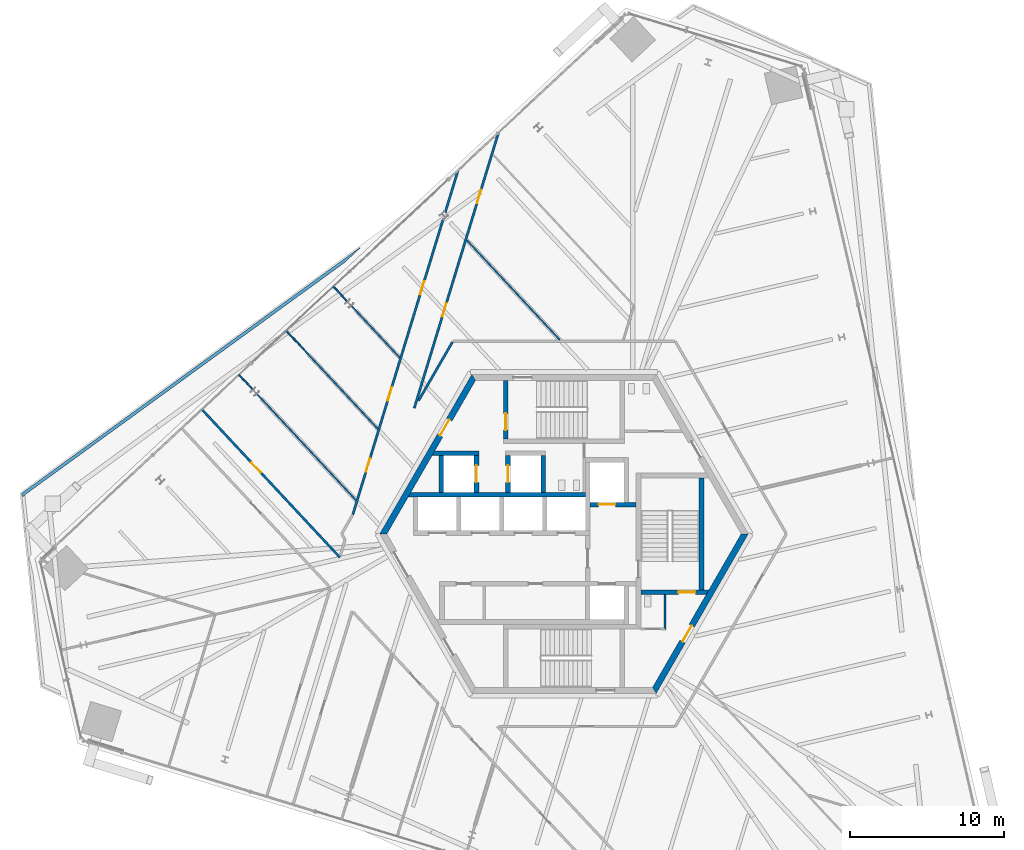
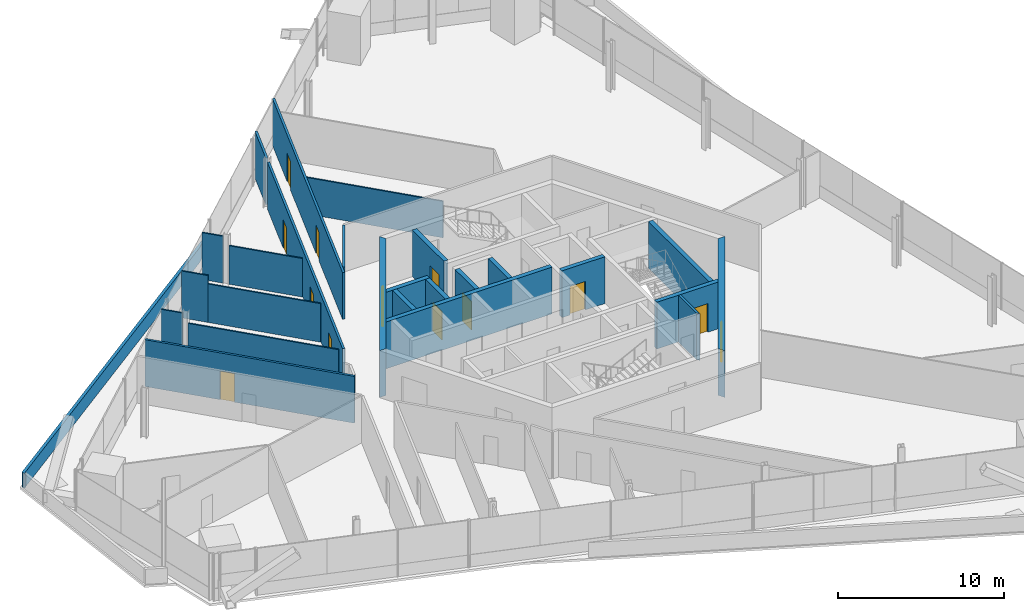
# One storey, part 20 of 25: 26 walls, 13 doors, 13 openings.
"""IFC4 building model written with IfcOpenShell, lengths in metres."""

from ifc_helpers import new_model, si_unit, direction, frame, frame_2d, origin, place, context, subcontext, project, spatial, polyline, rectangle, outline, extrude, source, transform, mapped, material, layer, layer_set, type_object, element, fill, save


model = new_model("IFC4")

# Units and contexts
model_context = context("Model", 3, precision=1e-05, world=origin(), true_north=direction((0.0, 1.0)))
body_context = subcontext(model_context, "Body", "Model", "MODEL_VIEW")
ifc_project = project(units=[si_unit("LENGTHUNIT", "METRE"), si_unit("AREAUNIT", "SQUARE_METRE"), si_unit("VOLUMEUNIT", "CUBIC_METRE"), si_unit("PLANEANGLEUNIT", "RADIAN"), si_unit("MASSUNIT", "GRAM", prefix="KILO")], contexts=[model_context])

# Site, building, storey
site_placement = place(None, origin())
site = spatial("IfcSite", under=ifc_project, at=site_placement, CompositionType="ELEMENT")
building_placement = place(site_placement, origin())
building = spatial("IfcBuilding", under=site, at=building_placement, Name="Triune Harvest Tower", CompositionType="ELEMENT")
storey_placement = place(building_placement, frame((0.0, 0.0, 98.300048828125)))
storey = spatial("IfcBuildingStorey", under=building, at=storey_placement, Name="L24", CompositionType="ELEMENT", Elevation=98.300048828125)

# Wall
ifc_material_1 = material(Name="Gypsum board on steel studs", Category="steel")
ifc_layer_1 = layer(ifc_material_1, 0.14990234375)
ifc_layer_set_1 = layer_set([ifc_layer_1], Name="Gypsum board on steel studs")
wall_type_1 = type_object("IfcWallType", Name="Fire Partition 150 mm", PredefinedType="PARTITIONING", material=ifc_layer_set_1)
wall_1_placement = place(storey_placement, frame((-9.47509765625, 8.67333984375, 0.0), z_axis=(0.0, 0.0, 1.0), x_axis=(0.499979216619, 0.866037402742, 0.0)))
element("IfcWall", 1, at=wall_1_placement, inside=storey, type_object=wall_type_1, Name="Partition L24 032", PredefinedType="PARTITIONING", context=body_context, shape_type="SweptSolid", body=[
    extrude(rectangle(XDim=4.417236328125, YDim=0.14990234375, at=frame_2d((2.20849609375, 0.0))), origin(), (0.0, 0.0, 1.0), 3.43994140625),
])

# Wall, openings, doors
wall_2_placement = place(storey_placement, frame((-9.752197265625, 8.19287109375, 0.0), z_axis=(0.0, 0.0, 1.0), x_axis=(0.29235903159, 0.956308630437, 0.0)))
wall_2 = element("IfcWall", 2, at=wall_2_placement, inside=storey, type_object=wall_type_1, Name="Partition L24 040", PredefinedType="PARTITIONING", context=body_context, shape_type="SweptSolid", body=[
    extrude(rectangle(XDim=18.762451171875, YDim=0.14990234375, at=frame_2d((9.38134765625, 0.0))), origin(), (0.0, 0.0, 1.0), 3.43994140625),
])
opening_1_placement = place(wall_2_placement, frame((13.9501953125, 0.0, 0.0)))
opening_1 = element("IfcOpeningElement", 3, at=opening_1_placement, cuts=wall_2, Name="Opening L24-003", PredefinedType="OPENING", context=body_context, shape_type="SweptSolid", body=[
    extrude(rectangle(XDim=0.89990234375, YDim=2.10009765625, at=frame_2d((0.449951171875, 1.050048828125))), frame((0.0, 0.0849609375, 0.0), z_axis=(0.0, -1.0, 0.0), x_axis=(1.0, 0.0, 0.0)), (0.0, 0.0, 1.0), 0.169921875),
])
opening_2_placement = place(wall_2_placement, frame((6.23388671875, 0.0, 0.0)))
opening_2 = element("IfcOpeningElement", 4, at=opening_2_placement, cuts=wall_2, Name="Opening L24-005", PredefinedType="OPENING", context=body_context, shape_type="SweptSolid", body=[
    extrude(rectangle(XDim=0.89990234375, YDim=2.10009765625, at=frame_2d((0.449951171875, 1.050048828125))), frame((0.0, 0.0849609375, 0.0), z_axis=(0.0, -1.0, 0.0), x_axis=(1.0, 0.0, 0.0)), (0.0, 0.0, 1.0), 0.169921875),
])
ifc_material_2 = material(Name="Timber and steel door set", Category="steel")
door_type_1 = type_object("IfcDoorType", Name="Single leaf door FD30 left hand 900 x 2100", OperationType="SINGLE_SWING_LEFT", PredefinedType="DOOR", material=ifc_material_2)
door_1_placement = place(opening_1_placement, origin())
door_1 = element("IfcDoor", 5, at=door_1_placement, inside=storey, type_object=door_type_1, Name="Door L24-003 Project Room 24.03", OperationType="SINGLE_SWING_LEFT", OverallHeight=2.10009765625, OverallWidth=0.89990234375, PredefinedType="DOOR", context=body_context, shape_type="SweptSolid", body=[
    extrude(rectangle(XDim=0.89990234375, YDim=2.10009765625, at=frame_2d((0.449951171875, 1.050048828125))), frame((0.0, 0.02490234375, 0.0), z_axis=(0.0, -1.0, 0.0), x_axis=(1.0, 0.0, 0.0)), (0.0, 0.0, 1.0), 0.050048828125),
])
fill(opening_1, door_1)
ifc_material_3 = material(Name="Timber and steel door set", Category="steel")
door_type_2 = type_object("IfcDoorType", Name="Single leaf door FD30 right hand 900 x 2100", OperationType="SINGLE_SWING_RIGHT", PredefinedType="DOOR", material=ifc_material_3)
door_2_placement = place(opening_2_placement, origin())
door_2 = element("IfcDoor", 6, at=door_2_placement, inside=storey, type_object=door_type_2, Name="Door L24-005 Office 24.05", OperationType="SINGLE_SWING_RIGHT", OverallHeight=2.10009765625, OverallWidth=0.89990234375, PredefinedType="DOOR", context=body_context, shape_type="SweptSolid", body=[
    extrude(rectangle(XDim=0.89990234375, YDim=2.10009765625, at=frame_2d((0.449951171875, 1.050048828125))), frame((0.0, 0.02490234375, 0.0), z_axis=(0.0, -1.0, 0.0), x_axis=(1.0, 0.0, 0.0)), (0.0, 0.0, 1.0), 0.050048828125),
])
fill(opening_2, door_2)

# Walls
ifc_material_4 = material(Name="Concrete 40 MPa", Category="concrete")
ifc_layer_2 = layer(ifc_material_4, 0.199951171875)
ifc_layer_set_2 = layer_set([ifc_layer_2], Name="Concrete 40 MPa")
wall_type_2 = type_object("IfcWallType", Name="PA-1 parapet 200", PredefinedType="PARAPET", material=ifc_layer_set_2)
wall_3_placement = place(storey_placement, origin())
element("IfcWall", 7, at=wall_3_placement, inside=storey, type_object=wall_type_2, Name="Parapet wedge L23 3.2", PredefinedType="PARAPET", context=body_context, shape_type="SweptSolid", body=[
    extrude(outline(polyline([(-13.291748046875, 18.646240234375), (-13.274169921875, 18.624755859375), (-14.3076171875, 17.660888671875), (-35.114990234375, 2.543701171875), (-35.112548828125, 2.520751953125), (-35.243408203125, 2.42578125), (-35.313720703125, 2.522705078125), (-35.325927734375, 2.6376953125), (-13.291748046875, 18.646240234375)])), origin(), (0.0, 0.0, 1.0), 1.099853515625),
])
ifc_material_5 = material(Name="Gypsum board on steel studs", Category="steel")
ifc_layer_3 = layer(ifc_material_5, 0.10009765625)
ifc_layer_set_3 = layer_set([ifc_layer_3], Name="Gypsum board on steel studs")
wall_type_3 = type_object("IfcWallType", Name="Partition 100 mm", PredefinedType="PARTITIONING", material=ifc_layer_set_3)
wall_4_placement = place(storey_placement, frame((-16.957763671875, 12.01611328125, 0.0), z_axis=(0.0, 0.0, 1.0), x_axis=(0.681998684715, -0.731353398876, 0.0)))
element("IfcWall", 8, at=wall_4_placement, inside=storey, type_object=wall_type_3, Name="Partition L24 012a", PredefinedType="PARTITIONING", context=body_context, shape_type="SweptSolid", body=[
    extrude(rectangle(XDim=7.07861328125, YDim=0.10009765625, at=frame_2d((3.539306640625, 0.0))), origin(), (0.0, 0.0, 1.0), 2.82763671875),
])
wall_5_placement = place(storey_placement, frame((-13.861572265625, 14.86474609375, 0.0), z_axis=(0.0, 0.0, 1.0), x_axis=(0.682005739114, -0.731346820472, 0.0)))
element("IfcWall", 9, at=wall_5_placement, inside=storey, type_object=wall_type_3, Name="Partition L24 014", PredefinedType="PARTITIONING", context=body_context, shape_type="SweptSolid", body=[
    extrude(rectangle(XDim=4.621337890625, YDim=0.10009765625, at=frame_2d((2.310546875, 0.0))), origin(), (0.0, 0.0, 1.0), 2.82763671875),
])
wall_6_placement = place(storey_placement, frame((-6.32861328125, 19.12451171875, 0.0), z_axis=(0.0, 0.0, 1.0), x_axis=(0.682000804038, -0.731351422568, 0.0)))
element("IfcWall", 10, at=wall_6_placement, inside=storey, type_object=wall_type_3, Name="Partition L24 017", PredefinedType="PARTITIONING", context=body_context, shape_type="SweptSolid", body=[
    extrude(rectangle(XDim=8.8798828125, YDim=0.10009765625, at=frame_2d((4.43994140625, 0.0))), origin(), (0.0, 0.0, 1.0), 2.682861328125),
])

# Wall, opening, door
ifc_material_6 = material(Name="Concrete 70 MPa", Category="concrete")
ifc_layer_4 = layer(ifc_material_6, 0.39990234375)
ifc_layer_set_4 = layer_set([ifc_layer_4], Name="Concrete 70 MPa")
wall_type_4 = type_object("IfcWallType", Name="Core wall 400", PredefinedType="SHEAR", material=ifc_layer_set_4)
shared_shape_1 = source(origin(), body_context, "Body", "SweptSolid", [
    extrude(outline(polyline([(-0.115478515625, -0.199951171875), (11.884521484375, -0.199951171875), (11.653564453125, 0.199951171875), (0.115478515625, 0.199951171875), (-0.115478515625, -0.199951171875)])), origin(), (0.0, 0.0, 1.0), 3.43994140625),
])
wall_7_placement = place(storey_placement, frame((-5.884521484375, 10.1923828125, 0.0), z_axis=(0.0, 0.0, 1.0), x_axis=(-0.499996592174, -0.866027371285, 0.0)))
wall_7 = element("IfcWall", 11, at=wall_7_placement, inside=storey, type_object=wall_type_4, Name="Hexagon 2 wall", PredefinedType="SHEAR", context=body_context, shape_type="MappedRepresentation", body=[
    mapped(shared_shape_1, transform((0.0, 0.0, 0.0), scale=1.0)),
])
opening_3_placement = place(wall_7_placement, frame((3.1845703125, 0.0, 0.0)))
opening_3 = element("IfcOpeningElement", 12, at=opening_3_placement, cuts=wall_7, Name="Opening CD-SVP", PredefinedType="OPENING", context=body_context, shape_type="SweptSolid", body=[
    extrude(rectangle(XDim=1.199951171875, YDim=2.10009765625, at=frame_2d((0.60009765625, 1.050048828125))), frame((0.0, 0.2099609375, 0.0), z_axis=(0.0, -1.0, 0.0), x_axis=(1.0, 0.0, 0.0)), (0.0, 0.0, 1.0), 0.419921875),
])
ifc_material_7 = material(Name="Steel S235", Category="steel")
door_type_3 = type_object("IfcDoorType", Name="Service door 1200 FD120", OperationType="SINGLE_SWING_LEFT", PredefinedType="DOOR", material=ifc_material_7)
door_3_placement = place(opening_3_placement, frame((1.199951171875, 0.0, 0.0), z_axis=(0.0, 0.0, 1.0), x_axis=(-1.0, 0.0, 0.0)))
door_3 = element("IfcDoor", 13, at=door_3_placement, inside=storey, type_object=door_type_3, Name="Door CD-SVP", OperationType="SINGLE_SWING_RIGHT", OverallHeight=2.10009765625, OverallWidth=1.199951171875, PredefinedType="DOOR", context=body_context, shape_type="SweptSolid", body=[
    extrude(rectangle(XDim=1.199951171875, YDim=2.10009765625, at=frame_2d((0.60009765625, 1.050048828125))), frame((0.0, 0.02490234375, 0.0), z_axis=(0.0, -1.0, 0.0), x_axis=(1.0, 0.0, 0.0)), (0.0, 0.0, 1.0), 0.050048828125),
])
fill(opening_3, door_3)

wall_8_placement = place(storey_placement, frame((5.884521484375, -10.1923828125, 0.0), z_axis=(0.0, 0.0, 1.0), x_axis=(0.499996592174, 0.866027371285, 0.0)))
wall_8 = element("IfcWall", 14, at=wall_8_placement, inside=storey, type_object=wall_type_4, Name="Hexagon 5 wall", PredefinedType="SHEAR", context=body_context, shape_type="MappedRepresentation", body=[
    mapped(shared_shape_1, transform((0.0, 0.0, 0.0), scale=1.0)),
])
opening_4_placement = place(wall_8_placement, frame((3.66455078125, 0.0, 0.0)))
opening_4 = element("IfcOpeningElement", 15, at=opening_4_placement, cuts=wall_8, Name="Opening CD-DP", PredefinedType="OPENING", context=body_context, shape_type="SweptSolid", body=[
    extrude(rectangle(XDim=1.199951171875, YDim=2.10009765625, at=frame_2d((0.60009765625, 1.050048828125))), frame((0.0, 0.2099609375, 0.0), z_axis=(0.0, -1.0, 0.0), x_axis=(1.0, 0.0, 0.0)), (0.0, 0.0, 1.0), 0.419921875),
])
ifc_material_8 = material(Name="Steel S235", Category="steel")
door_type_4 = type_object("IfcDoorType", Name="Stair door 1200 FD120", OperationType="SINGLE_SWING_LEFT", PredefinedType="DOOR", material=ifc_material_8)
door_4_placement = place(opening_4_placement, frame((1.199951171875, 0.0, 0.0), z_axis=(0.0, 0.0, 1.0), x_axis=(-1.0, 0.0, 0.0)))
door_4 = element("IfcDoor", 16, at=door_4_placement, inside=storey, type_object=door_type_4, Name="Door CD-DP", OperationType="SINGLE_SWING_RIGHT", OverallHeight=2.10009765625, OverallWidth=1.199951171875, PredefinedType="DOOR", context=body_context, shape_type="SweptSolid", body=[
    extrude(rectangle(XDim=1.199951171875, YDim=2.10009765625, at=frame_2d((0.60009765625, 1.050048828125))), frame((0.0, 0.02490234375, 0.0), z_axis=(0.0, -1.0, 0.0), x_axis=(1.0, 0.0, 0.0)), (0.0, 0.0, 1.0), 0.050048828125),
])
fill(opening_4, door_4)

# Wall
ifc_material_9 = material(Name="Concrete 70 MPa", Category="concrete")
ifc_layer_5 = layer(ifc_material_9, 0.300048828125)
ifc_layer_set_5 = layer_set([ifc_layer_5], Name="Concrete 70 MPa")
wall_type_5 = type_object("IfcWallType", Name="Core wall 300", PredefinedType="SHEAR", material=ifc_layer_set_5)
shared_shape_2 = source(origin(), body_context, "Body", "SweptSolid", [
    extrude(outline(polyline([(11.199951171875, -0.14990234375), (-0.34912109375, -0.14990234375), (-0.17578125, 0.14990234375), (11.199951171875, 0.14990234375), (11.199951171875, -0.14990234375)])), origin(), (0.0, 0.0, 1.0), 3.43994140625),
])
wall_9_placement = place(storey_placement, frame((-9.800048828125, 2.56005859375, 0.0), z_axis=(0.0, 0.0, 1.0), x_axis=(1.0, 0.0, 0.0)))
element("IfcWall", 17, at=wall_9_placement, inside=storey, type_object=wall_type_5, Name="North back wall", PredefinedType="SHEAR", context=body_context, shape_type="MappedRepresentation", body=[
    mapped(shared_shape_2, transform((0.0, 0.0, 0.0), scale=1.0)),
])

# Wall, opening, door
shared_shape_3 = source(origin(), body_context, "Body", "SweptSolid", [
    extrude(rectangle(XDim=3.0, YDim=0.300048828125, at=frame_2d((1.5, 0.0))), origin(), (0.0, 0.0, 1.0), 3.43994140625),
])
wall_10_placement = place(storey_placement, frame((1.699951171875, 1.909912109375, 0.0), z_axis=(0.0, 0.0, 1.0), x_axis=(1.0, 0.0, 0.0)))
wall_10 = element("IfcWall", 18, at=wall_10_placement, inside=storey, type_object=wall_type_5, Name="Ff1 front wall", PredefinedType="SHEAR", context=body_context, shape_type="MappedRepresentation", body=[
    mapped(shared_shape_3, transform((0.0, 0.0, 0.0), scale=1.0)),
])
opening_5_placement = place(wall_10_placement, frame((0.550048828125, 0.0, 0.0)))
opening_5 = element("IfcOpeningElement", 19, at=opening_5_placement, cuts=wall_10, Name="Opening LD-FF1-24", PredefinedType="OPENING", context=body_context, shape_type="SweptSolid", body=[
    extrude(rectangle(XDim=1.10009765625, YDim=2.10009765625, at=frame_2d((0.550048828125, 1.050048828125))), frame((0.0, 0.16015625, 0.0), z_axis=(0.0, -1.0, 0.0), x_axis=(1.0, 0.0, 0.0)), (0.0, 0.0, 1.0), 0.320068359375),
])
ifc_material_10 = material(Name="Stainless steel AISI 304", Category="steel")
door_type_5 = type_object("IfcDoorType", Name="Landing door 1100 x 2100", OperationType="DOUBLE_DOOR_SLIDING", PredefinedType="DOOR", material=ifc_material_10)
door_5_placement = place(opening_5_placement, origin())
door_5 = element("IfcDoor", 20, at=door_5_placement, inside=storey, type_object=door_type_5, Name="Door LD-FF1-24", OperationType="DOUBLE_DOOR_SLIDING", OverallHeight=2.10009765625, OverallWidth=1.10009765625, PredefinedType="DOOR", context=body_context, shape_type="SweptSolid", body=[
    extrude(rectangle(XDim=1.10009765625, YDim=2.10009765625, at=frame_2d((0.550048828125, 1.050048828125))), frame((0.0, 0.02490234375, 0.0), z_axis=(0.0, -1.0, 0.0), x_axis=(1.0, 0.0, 0.0)), (0.0, 0.0, 1.0), 0.050048828125),
])
fill(opening_5, door_5)

shared_shape_4 = source(origin(), body_context, "Body", "SweptSolid", [
    extrude(outline(polyline([(0.0, -0.14990234375), (0.0, 0.14990234375), (4.43310546875, 0.14990234375), (4.260009765625, -0.14990234375), (0.0, -0.14990234375)])), origin(), (0.0, 0.0, 1.0), 3.43994140625),
])
wall_11_placement = place(storey_placement, frame((5.0, -3.800048828125, 0.0), z_axis=(0.0, 0.0, 1.0), x_axis=(1.0, 0.0, 0.0)))
wall_11 = element("IfcWall", 21, at=wall_11_placement, inside=storey, type_object=wall_type_5, Name="Stair e south wall", PredefinedType="SHEAR", context=body_context, shape_type="MappedRepresentation", body=[
    mapped(shared_shape_4, transform((0.0, 0.0, 0.0), scale=1.0)),
])
opening_6_placement = place(wall_11_placement, frame((2.449951171875, 0.0, 0.0)))
opening_6 = element("IfcOpeningElement", 22, at=opening_6_placement, cuts=wall_11, Name="Opening CD-S3D", PredefinedType="OPENING", context=body_context, shape_type="SweptSolid", body=[
    extrude(rectangle(XDim=1.10009765625, YDim=2.10009765625, at=frame_2d((0.550048828125, 1.050048828125))), frame((0.0, 0.16015625, 0.0), z_axis=(0.0, -1.0, 0.0), x_axis=(1.0, 0.0, 0.0)), (0.0, 0.0, 1.0), 0.320068359375),
])
ifc_material_11 = material(Name="Steel S235", Category="steel")
door_type_6 = type_object("IfcDoorType", Name="Stair door 1100 FD120", OperationType="SINGLE_SWING_LEFT", PredefinedType="DOOR", material=ifc_material_11)
door_6_placement = place(opening_6_placement, frame((1.10009765625, 0.0, 0.0), z_axis=(0.0, 0.0, 1.0), x_axis=(-1.0, 0.0, 0.0)))
door_6 = element("IfcDoor", 23, at=door_6_placement, inside=storey, type_object=door_type_6, Name="Door CD-S3D", OperationType="SINGLE_SWING_RIGHT", OverallHeight=2.10009765625, OverallWidth=1.10009765625, PredefinedType="DOOR", context=body_context, shape_type="SweptSolid", body=[
    extrude(rectangle(XDim=1.10009765625, YDim=2.10009765625, at=frame_2d((0.550048828125, 1.050048828125))), frame((0.0, 0.02490234375, 0.0), z_axis=(0.0, -1.0, 0.0), x_axis=(1.0, 0.0, 0.0)), (0.0, 0.0, 1.0), 0.050048828125),
])
fill(opening_6, door_6)

# Wall
shared_shape_5 = source(origin(), body_context, "Body", "SweptSolid", [
    extrude(rectangle(XDim=7.2998046875, YDim=0.300048828125, at=frame_2d((3.64990234375, 0.0))), origin(), (0.0, 0.0, 1.0), 3.43994140625),
])
wall_12_placement = place(storey_placement, frame((8.949951171875, -3.64990234375, 0.0), z_axis=(0.0, 0.0, 1.0), x_axis=(0.0, 1.0, 0.0)))
element("IfcWall", 24, at=wall_12_placement, inside=storey, type_object=wall_type_5, Name="Stair e east wall", PredefinedType="SHEAR", context=body_context, shape_type="MappedRepresentation", body=[
    mapped(shared_shape_5, transform((0.0, 0.0, 0.0), scale=1.0)),
])

# Wall, opening, door
shared_shape_6 = source(origin(), body_context, "Body", "SweptSolid", [
    extrude(outline(polyline([(0.0, -0.14990234375), (0.0, 0.14990234375), (3.80419921875, 0.14990234375), (3.80419921875, -0.14990234375), (0.0, -0.14990234375)])), origin(), (0.0, 0.0, 1.0), 3.43994140625),
])
wall_13_placement = place(storey_placement, frame((-3.800048828125, 6.18994140625, 0.0), z_axis=(0.0, 0.0, 1.0), x_axis=(0.0, 1.0, 0.0)))
wall_13 = element("IfcWall", 25, at=wall_13_placement, inside=storey, type_object=wall_type_5, Name="Stair n west wall", PredefinedType="SHEAR", context=body_context, shape_type="MappedRepresentation", body=[
    mapped(shared_shape_6, transform((0.0, 0.0, 0.0), scale=1.0)),
])
opening_7_placement = place(wall_13_placement, frame((0.56005859375, 0.0, 0.0)))
opening_7 = element("IfcOpeningElement", 26, at=opening_7_placement, cuts=wall_13, Name="Opening CD-S1L", PredefinedType="OPENING", context=body_context, shape_type="SweptSolid", body=[
    extrude(rectangle(XDim=1.10009765625, YDim=2.10009765625, at=frame_2d((0.550048828125, 1.050048828125))), frame((0.0, 0.16015625, 0.0), z_axis=(0.0, -1.0, 0.0), x_axis=(1.0, 0.0, 0.0)), (0.0, 0.0, 1.0), 0.320068359375),
])
door_7_placement = place(opening_7_placement, frame((1.10009765625, 0.0, 0.0), z_axis=(0.0, 0.0, 1.0), x_axis=(-1.0, 0.0, 0.0)))
door_7 = element("IfcDoor", 27, at=door_7_placement, inside=storey, type_object=door_type_6, Name="Door CD-S1L", OperationType="SINGLE_SWING_RIGHT", OverallHeight=2.10009765625, OverallWidth=1.10009765625, PredefinedType="DOOR", context=body_context, shape_type="SweptSolid", body=[
    extrude(rectangle(XDim=1.10009765625, YDim=2.10009765625, at=frame_2d((0.550048828125, 1.050048828125))), frame((0.0, 0.02490234375, 0.0), z_axis=(0.0, -1.0, 0.0), x_axis=(1.0, 0.0, 0.0)), (0.0, 0.0, 1.0), 0.050048828125),
])
fill(opening_7, door_7)

# Walls
shared_shape_7 = source(origin(), body_context, "Body", "SweptSolid", [
    extrude(outline(polyline([(2.60009765625, -0.14990234375), (-0.440185546875, -0.14990234375), (-0.26708984375, 0.14990234375), (2.60009765625, 0.14990234375), (2.60009765625, -0.14990234375)])), origin(), (0.0, 0.0, 1.0), 3.43994140625),
])
wall_14_placement = place(storey_placement, frame((-8.14990234375, 5.260009765625, 0.0), z_axis=(0.0, 0.0, 1.0), x_axis=(1.0, 0.0, 0.0)))
element("IfcWall", 28, at=wall_14_placement, inside=storey, type_object=wall_type_5, Name="Sv1 north wall", PredefinedType="SHEAR", context=body_context, shape_type="MappedRepresentation", body=[
    mapped(shared_shape_7, transform((0.0, 0.0, 0.0), scale=1.0)),
])
shared_shape_8 = source(origin(), body_context, "Body", "SweptSolid", [
    extrude(rectangle(XDim=2.400146484375, YDim=0.300048828125, at=frame_2d((1.2001953125, 0.0))), origin(), (0.0, 0.0, 1.0), 3.43994140625),
])
wall_15_placement = place(storey_placement, frame((-8.0, 2.7099609375, 0.0), z_axis=(0.0, 0.0, 1.0), x_axis=(0.0, 1.0, 0.0)))
element("IfcWall", 29, at=wall_15_placement, inside=storey, type_object=wall_type_5, Name="Sv1 west wall", PredefinedType="SHEAR", context=body_context, shape_type="MappedRepresentation", body=[
    mapped(shared_shape_8, transform((0.0, 0.0, 0.0), scale=1.0)),
])

# Wall, opening, door
wall_16_placement = place(storey_placement, frame((-5.699951171875, 2.7099609375, 0.0), z_axis=(0.0, 0.0, 1.0), x_axis=(0.0, 1.0, 0.0)))
wall_16 = element("IfcWall", 30, at=wall_16_placement, inside=storey, type_object=wall_type_5, Name="Sv1 east wall", PredefinedType="SHEAR", context=body_context, shape_type="MappedRepresentation", body=[
    mapped(shared_shape_8, transform((0.0, 0.0, 0.0), scale=1.0)),
])
opening_8_placement = place(wall_16_placement, frame((0.64990234375, 0.0, 0.0)))
opening_8 = element("IfcOpeningElement", 31, at=opening_8_placement, cuts=wall_16, Name="Opening LD-SV1-24", PredefinedType="OPENING", context=body_context, shape_type="SweptSolid", body=[
    extrude(rectangle(XDim=1.10009765625, YDim=2.10009765625, at=frame_2d((0.550048828125, 1.050048828125))), frame((0.0, 0.16015625, 0.0), z_axis=(0.0, -1.0, 0.0), x_axis=(1.0, 0.0, 0.0)), (0.0, 0.0, 1.0), 0.320068359375),
])
door_8_placement = place(opening_8_placement, origin())
door_8 = element("IfcDoor", 32, at=door_8_placement, inside=storey, type_object=door_type_5, Name="Door LD-SV1-24", OperationType="DOUBLE_DOOR_SLIDING", OverallHeight=2.10009765625, OverallWidth=1.10009765625, PredefinedType="DOOR", context=body_context, shape_type="SweptSolid", body=[
    extrude(rectangle(XDim=1.10009765625, YDim=2.10009765625, at=frame_2d((0.550048828125, 1.050048828125))), frame((0.0, 0.02490234375, 0.0), z_axis=(0.0, -1.0, 0.0), x_axis=(1.0, 0.0, 0.0)), (0.0, 0.0, 1.0), 0.050048828125),
])
fill(opening_8, door_8)

wall_17_placement = place(storey_placement, frame((-3.64990234375, 2.7099609375, 0.0), z_axis=(0.0, 0.0, 1.0), x_axis=(0.0, 1.0, 0.0)))
wall_17 = element("IfcWall", 33, at=wall_17_placement, inside=storey, type_object=wall_type_5, Name="Sv2 west wall", PredefinedType="SHEAR", context=body_context, shape_type="MappedRepresentation", body=[
    mapped(shared_shape_8, transform((0.0, 0.0, 0.0), scale=1.0)),
])
opening_9_placement = place(wall_17_placement, frame((0.64990234375, 0.0, 0.0)))
opening_9 = element("IfcOpeningElement", 34, at=opening_9_placement, cuts=wall_17, Name="Opening LD-SV2-24", PredefinedType="OPENING", context=body_context, shape_type="SweptSolid", body=[
    extrude(rectangle(XDim=1.10009765625, YDim=2.10009765625, at=frame_2d((0.550048828125, 1.050048828125))), frame((0.0, 0.16015625, 0.0), z_axis=(0.0, -1.0, 0.0), x_axis=(1.0, 0.0, 0.0)), (0.0, 0.0, 1.0), 0.320068359375),
])
door_9_placement = place(opening_9_placement, origin())
door_9 = element("IfcDoor", 35, at=door_9_placement, inside=storey, type_object=door_type_5, Name="Door LD-SV2-24", OperationType="DOUBLE_DOOR_SLIDING", OverallHeight=2.10009765625, OverallWidth=1.10009765625, PredefinedType="DOOR", context=body_context, shape_type="SweptSolid", body=[
    extrude(rectangle(XDim=1.10009765625, YDim=2.10009765625, at=frame_2d((0.550048828125, 1.050048828125))), frame((0.0, 0.02490234375, 0.0), z_axis=(0.0, -1.0, 0.0), x_axis=(1.0, 0.0, 0.0)), (0.0, 0.0, 1.0), 0.050048828125),
])
fill(opening_9, door_9)

# Walls
wall_18_placement = place(storey_placement, frame((-1.35009765625, 2.7099609375, 0.0), z_axis=(0.0, 0.0, 1.0), x_axis=(0.0, 1.0, 0.0)))
element("IfcWall", 36, at=wall_18_placement, inside=storey, type_object=wall_type_5, Name="Sv2 east wall", PredefinedType="SHEAR", context=body_context, shape_type="MappedRepresentation", body=[
    mapped(shared_shape_8, transform((0.0, 0.0, 0.0), scale=1.0)),
])
ifc_material_12 = material(Name="Concrete masonry unit", Category="masonry")
ifc_layer_6 = layer(ifc_material_12, 0.14990234375)
ifc_layer_set_6 = layer_set([ifc_layer_6], Name="Concrete masonry unit")
wall_type_6 = type_object("IfcWallType", Name="Block partition 150 unrated", PredefinedType="PARTITIONING", material=ifc_layer_set_6)
shared_shape_9 = source(origin(), body_context, "Body", "SweptSolid", [
    extrude(outline(polyline([(-0.074951171875, -0.074951171875), (2.239990234375, -0.074951171875), (2.239990234375, 0.074951171875), (0.074951171875, 0.074951171875), (-0.074951171875, -0.074951171875)])), origin(), (0.0, 0.0, 1.0), 3.43994140625),
])
wall_19_placement = place(storey_placement, frame((6.574951171875, -6.18994140625, 0.0), z_axis=(0.0, 0.0, 1.0), x_axis=(0.0, 1.0, 0.0)))
element("IfcWall", 37, at=wall_19_placement, inside=storey, type_object=wall_type_6, Name="Wc acc east wall", PredefinedType="PARTITIONING", context=body_context, shape_type="MappedRepresentation", body=[
    mapped(shared_shape_9, transform((0.0, 0.0, 0.0), scale=1.0)),
])
shared_shape_10 = source(origin(), body_context, "Body", "SweptSolid", [
    extrude(rectangle(XDim=2.887939453125, YDim=0.14990234375, at=frame_2d((1.44384765625, 0.0))), origin(), (0.0, 0.0, 1.0), 3.43994140625),
])
wall_20_placement = place(storey_placement, frame((-7.744140625, 20.91845703125, 0.0), z_axis=(0.0, 0.0, 1.0), x_axis=(0.292338810171, 0.956314812218, 0.0)))
element("IfcWall", 38, at=wall_20_placement, inside=storey, type_object=wall_type_1, Name="Partition L24 044", PredefinedType="PARTITIONING", context=body_context, shape_type="MappedRepresentation", body=[
    mapped(shared_shape_10, transform((0.0, 0.0, 0.0), scale=1.0)),
])

# Wall, opening, door
shared_shape_11 = source(origin(), body_context, "Body", "SweptSolid", [
    extrude(rectangle(XDim=13.17822265625, YDim=0.14990234375, at=frame_2d((6.589111328125, 0.0))), origin(), (0.0, 0.0, 1.0), 3.43994140625),
])
wall_21_placement = place(storey_placement, frame((-23.59326171875, 8.11328125, 0.0), z_axis=(0.0, 0.0, 1.0), x_axis=(0.681999370249, -0.731352759604, 0.0)))
wall_21 = element("IfcWall", 39, at=wall_21_placement, inside=storey, type_object=wall_type_1, Name="Partition L24 008", PredefinedType="PARTITIONING", context=body_context, shape_type="MappedRepresentation", body=[
    mapped(shared_shape_11, transform((0.0, 0.0, 0.0), scale=1.0)),
])
opening_10_placement = place(wall_21_placement, frame((4.7314453125, 0.0, 0.0)))
opening_10 = element("IfcOpeningElement", 40, at=opening_10_placement, cuts=wall_21, Name="Opening L24-009", PredefinedType="OPENING", context=body_context, shape_type="SweptSolid", body=[
    extrude(rectangle(XDim=0.89990234375, YDim=2.10009765625, at=frame_2d((0.449951171875, 1.050048828125))), frame((0.0, 0.0849609375, 0.0), z_axis=(0.0, -1.0, 0.0), x_axis=(1.0, 0.0, 0.0)), (0.0, 0.0, 1.0), 0.169921875),
])
door_10_placement = place(opening_10_placement, origin())
door_10 = element("IfcDoor", 41, at=door_10_placement, inside=storey, type_object=door_type_1, Name="Door L24-009 Office 24.09", OperationType="SINGLE_SWING_LEFT", OverallHeight=2.10009765625, OverallWidth=0.89990234375, PredefinedType="DOOR", context=body_context, shape_type="SweptSolid", body=[
    extrude(rectangle(XDim=0.89990234375, YDim=2.10009765625, at=frame_2d((0.449951171875, 1.050048828125))), frame((0.0, 0.02490234375, 0.0), z_axis=(0.0, -1.0, 0.0), x_axis=(1.0, 0.0, 0.0)), (0.0, 0.0, 1.0), 0.050048828125),
])
fill(opening_10, door_10)

# Walls
shared_shape_12 = source(origin(), body_context, "Body", "SweptSolid", [
    extrude(rectangle(XDim=1.338134765625, YDim=0.10009765625, at=frame_2d((0.6689453125, 0.0))), origin(), (0.0, 0.0, 1.0), 3.43994140625),
])
for number, where, z_axis, x_axis, name in (
    (42, (-21.17431640625, 10.368896484375, 0.0), (0.0, 0.0, 1.0), (0.681954155979, -0.731394920096, 0.0), "Partition L24 010"),
    (43, (-15.0205078125, 16.107421875, 0.0), (0.0, 0.0, 1.0), (0.68204515899, -0.731310058114, 0.0), "Partition L24 013"),
):
    element("IfcWall", number, at=place(storey_placement, frame(where, z_axis=z_axis, x_axis=x_axis)), inside=storey, type_object=wall_type_3, Name=name, PredefinedType="PARTITIONING", context=body_context, shape_type="MappedRepresentation", body=[
        mapped(shared_shape_12, transform((0.0, 0.0, 0.0), scale=1.0)),
    ])
shared_shape_13 = source(origin(), body_context, "Body", "SweptSolid", [
    extrude(rectangle(XDim=9.479736328125, YDim=0.10009765625, at=frame_2d((4.73974609375, 0.0))), origin(), (0.0, 0.0, 1.0), 2.7568359375),
])
wall_22_placement = place(storey_placement, frame((-20.015625, 9.126220703125, 0.0), z_axis=(0.0, 0.0, 1.0), x_axis=(0.681990598836, -0.731360939003, 0.0)))
element("IfcWall", 44, at=wall_22_placement, inside=storey, type_object=wall_type_3, Name="Partition L24 011", PredefinedType="PARTITIONING", context=body_context, shape_type="MappedRepresentation", body=[
    mapped(shared_shape_13, transform((0.0, 0.0, 0.0), scale=1.0)),
])
shared_shape_14 = source(origin(), body_context, "Body", "SweptSolid", [
    extrude(rectangle(XDim=1.671142578125, YDim=0.10009765625, at=frame_2d((0.83544921875, 0.0))), origin(), (0.0, 0.0, 1.0), 3.43994140625),
])
wall_23_placement = place(storey_placement, frame((-18.097412109375, 13.23828125, 0.0), z_axis=(0.0, 0.0, 1.0), x_axis=(0.681985034639, -0.73136612755, 0.0)))
element("IfcWall", 45, at=wall_23_placement, inside=storey, type_object=wall_type_3, Name="Partition L24 012", PredefinedType="PARTITIONING", context=body_context, shape_type="MappedRepresentation", body=[
    mapped(shared_shape_14, transform((0.0, 0.0, 0.0), scale=1.0)),
])

# Wall, openings, doors
shared_shape_15 = source(origin(), body_context, "Body", "SweptSolid", [
    extrude(rectangle(XDim=20.118896484375, YDim=0.14990234375, at=frame_2d((10.0595703125, 0.0))), origin(), (0.0, 0.0, 1.0), 3.43994140625),
])
wall_24_placement = place(storey_placement, frame((-13.75341796875, 1.26318359375, 0.0), z_axis=(0.0, 0.0, 1.0), x_axis=(0.292378229179, 0.956302761212, 0.0)))
wall_24 = element("IfcWall", 46, at=wall_24_placement, inside=storey, type_object=wall_type_1, Name="Partition L24 043", PredefinedType="PARTITIONING", context=body_context, shape_type="MappedRepresentation", body=[
    mapped(shared_shape_15, transform((0.0, 0.0, 0.0), scale=1.0)),
])
opening_11_placement = place(wall_24_placement, frame((14.986083984375, 0.0, 0.0)))
opening_11 = element("IfcOpeningElement", 47, at=opening_11_placement, cuts=wall_24, Name="Opening L24-004", PredefinedType="OPENING", context=body_context, shape_type="SweptSolid", body=[
    extrude(rectangle(XDim=0.89990234375, YDim=2.10009765625, at=frame_2d((0.449951171875, 1.050048828125))), frame((0.0, 0.0849609375, 0.0), z_axis=(0.0, -1.0, 0.0), x_axis=(1.0, 0.0, 0.0)), (0.0, 0.0, 1.0), 0.169921875),
])
opening_12_placement = place(wall_24_placement, frame((2.911865234375, 0.0, 0.0)))
opening_12 = element("IfcOpeningElement", 48, at=opening_12_placement, cuts=wall_24, Name="Opening L24-006", PredefinedType="OPENING", context=body_context, shape_type="SweptSolid", body=[
    extrude(rectangle(XDim=0.89990234375, YDim=2.10009765625, at=frame_2d((0.449951171875, 1.050048828125))), frame((0.0, 0.0849609375, 0.0), z_axis=(0.0, -1.0, 0.0), x_axis=(1.0, 0.0, 0.0)), (0.0, 0.0, 1.0), 0.169921875),
])
opening_13_placement = place(wall_24_placement, frame((7.77001953125, 0.0, 0.0)))
opening_13 = element("IfcOpeningElement", 49, at=opening_13_placement, cuts=wall_24, Name="Opening L24-007", PredefinedType="OPENING", context=body_context, shape_type="SweptSolid", body=[
    extrude(rectangle(XDim=0.89990234375, YDim=2.10009765625, at=frame_2d((0.449951171875, 1.050048828125))), frame((0.0, 0.0849609375, 0.0), z_axis=(0.0, -1.0, 0.0), x_axis=(1.0, 0.0, 0.0)), (0.0, 0.0, 1.0), 0.169921875),
])
door_11_placement = place(opening_12_placement, origin())
door_11 = element("IfcDoor", 50, at=door_11_placement, inside=storey, type_object=door_type_1, Name="Door L24-006 Office 24.06", OperationType="SINGLE_SWING_LEFT", OverallHeight=2.10009765625, OverallWidth=0.89990234375, PredefinedType="DOOR", context=body_context, shape_type="SweptSolid", body=[
    extrude(rectangle(XDim=0.89990234375, YDim=2.10009765625, at=frame_2d((0.449951171875, 1.050048828125))), frame((0.0, 0.02490234375, 0.0), z_axis=(0.0, -1.0, 0.0), x_axis=(1.0, 0.0, 0.0)), (0.0, 0.0, 1.0), 0.050048828125),
])
fill(opening_12, door_11)
door_12_placement = place(opening_13_placement, origin())
door_12 = element("IfcDoor", 51, at=door_12_placement, inside=storey, type_object=door_type_1, Name="Door L24-007 Office 24.07", OperationType="SINGLE_SWING_LEFT", OverallHeight=2.10009765625, OverallWidth=0.89990234375, PredefinedType="DOOR", context=body_context, shape_type="SweptSolid", body=[
    extrude(rectangle(XDim=0.89990234375, YDim=2.10009765625, at=frame_2d((0.449951171875, 1.050048828125))), frame((0.0, 0.02490234375, 0.0), z_axis=(0.0, -1.0, 0.0), x_axis=(1.0, 0.0, 0.0)), (0.0, 0.0, 1.0), 0.050048828125),
])
fill(opening_13, door_12)
door_13_placement = place(opening_11_placement, origin())
door_13 = element("IfcDoor", 52, at=door_13_placement, inside=storey, type_object=door_type_2, Name="Door L24-004 Office 24.04", OperationType="SINGLE_SWING_RIGHT", OverallHeight=2.10009765625, OverallWidth=0.89990234375, PredefinedType="DOOR", context=body_context, shape_type="SweptSolid", body=[
    extrude(rectangle(XDim=0.89990234375, YDim=2.10009765625, at=frame_2d((0.449951171875, 1.050048828125))), frame((0.0, 0.02490234375, 0.0), z_axis=(0.0, -1.0, 0.0), x_axis=(1.0, 0.0, 0.0)), (0.0, 0.0, 1.0), 0.050048828125),
])
fill(opening_11, door_13)

save(model, "model.ifc")
